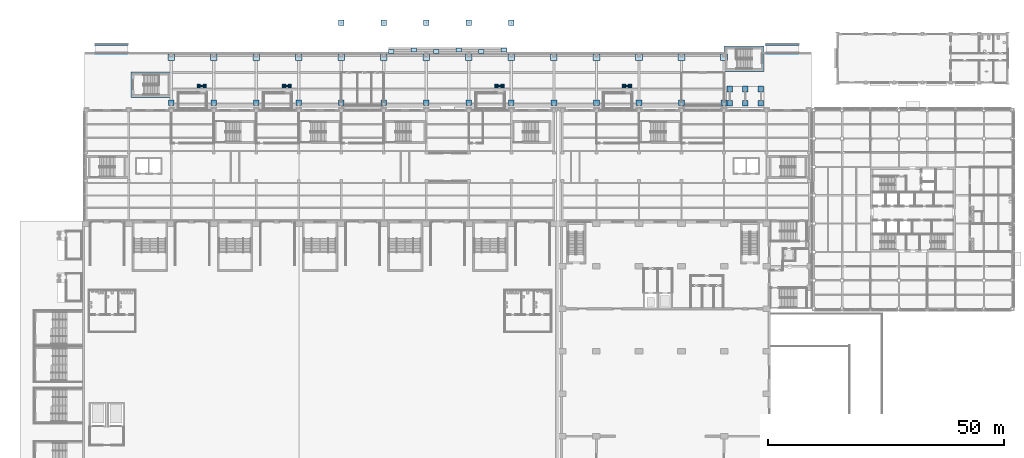
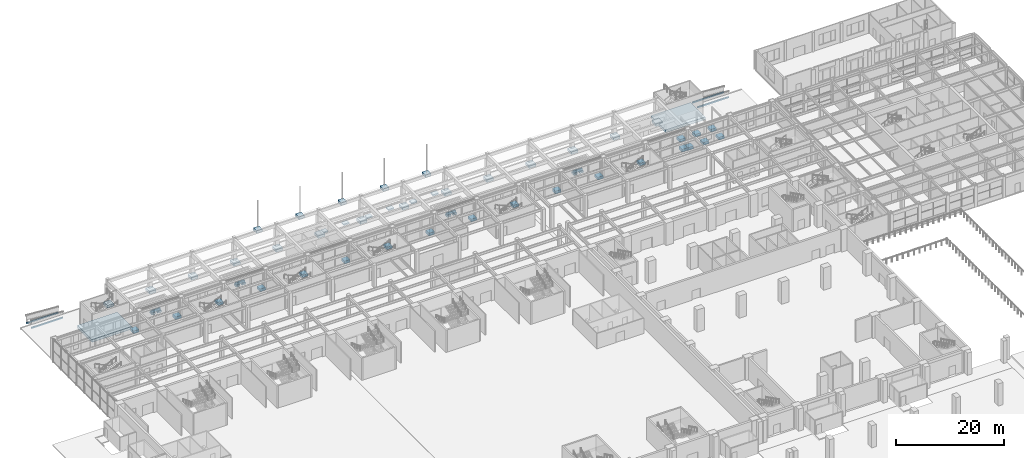
# One storey, part 2 of 77: 63 footings.
"""IFC4 building model written with IfcOpenShell, lengths in metres."""

import ifcopenshell
import ifcopenshell.guid

model = None  # the IFC model being written
_history = None  # IfcOwnerHistory: only IFC2X3 demands one
_inside = {}  # id of a spatial element -> (the spatial element, [elements in it])
_under = {}  # id of a project, library or spatial element -> (it, [spatial elements below it])
_declared = {}  # id of a project -> (the project, [libraries it declares])
_typed = {}  # id of a type object -> (the type object, [elements of that type])
_made_of = {}  # id of a material, layer set ... -> (it, [elements and type objects made of it])


def new_model(schema):
    """Start an empty IFC model of exactly this schema.

    Asked for "IFC4X3", IfcOpenShell would pick the latest addendum, in which some entities
    have other attributes; the version numbers below select the first issue.
    IFC2X3 requires an IfcOwnerHistory on every rooted entity: one is made here for all.
    """
    global model, _history
    if schema == "IFC4X3":
        model = ifcopenshell.file(schema_version=(4, 3, 0, 0))
    else:
        model = ifcopenshell.file(schema=schema)
    _inside.clear()
    _under.clear()
    _declared.clear()
    _typed.clear()
    _made_of.clear()
    _history = None
    if model.schema == "IFC2X3":
        org = make("IfcOrganization", Name="unknown")
        user = make(
            "IfcPersonAndOrganization",
            ThePerson=make("IfcPerson", FamilyName="unknown"),
            TheOrganization=org,
        )
        app = make(
            "IfcApplication",
            ApplicationDeveloper=org,
            Version="unknown",
            ApplicationFullName="unknown",
            ApplicationIdentifier="unknown",
        )
        _history = make(
            "IfcOwnerHistory",
            OwningUser=user,
            OwningApplication=app,
            ChangeAction="ADDED",
            CreationDate=0,
        )
    return model


def make(cls, **values):
    """One entity of the class cls with the attributes given. An attribute that is None is left unset."""
    return model.create_entity(
        cls, **{name: value for name, value in values.items() if value is not None}
    )


def rooted(cls, **values):
    """An entity with a GlobalId (a new one), such as an element, a storey or a relation."""
    return make(cls, GlobalId=ifcopenshell.guid.new(), OwnerHistory=_history, **values)


def si_unit(unit_type, name, prefix=None):
    """IfcSIUnit, for example si_unit("LENGTHUNIT", "METRE", prefix="MILLI")."""
    return make("IfcSIUnit", UnitType=unit_type, Prefix=prefix, Name=name)


def assignment(units):
    """IfcUnitAssignment: the units of a project."""
    return None if units is None else make("IfcUnitAssignment", Units=units)


def point(xyz):
    """IfcCartesianPoint."""
    return None if xyz is None else make("IfcCartesianPoint", Coordinates=xyz)


def direction(xyz):
    """IfcDirection."""
    return None if xyz is None else make("IfcDirection", DirectionRatios=xyz)


def frame(location, z_axis=None, x_axis=None):
    """IfcAxis2Placement3D, a coordinate frame: its origin and axes. An axis left out is left unset."""
    return make(
        "IfcAxis2Placement3D",
        Location=point(location),
        Axis=direction(z_axis),
        RefDirection=direction(x_axis),
    )


def origin():
    """The frame at (0, 0, 0) with its axes left unset."""
    return frame((0.0, 0.0, 0.0))


def place(relative_to, where):
    """IfcLocalPlacement: puts the frame where relative to a parent placement (None: the world)."""
    return make(
        "IfcLocalPlacement", PlacementRelTo=relative_to, RelativePlacement=where
    )


def context(
    kind, dimensions, precision=None, world=None, true_north=None, identifier=None
):
    """IfcGeometricRepresentationContext, for example the 3D "Model" context."""
    return make(
        "IfcGeometricRepresentationContext",
        ContextIdentifier=identifier,
        ContextType=kind,
        CoordinateSpaceDimension=dimensions,
        Precision=precision,
        WorldCoordinateSystem=world,
        TrueNorth=true_north,
    )


def subcontext(parent, identifier, kind, view, scale=None):
    """IfcGeometricRepresentationSubContext, for example "Body" below "Model"."""
    return make(
        "IfcGeometricRepresentationSubContext",
        ContextIdentifier=identifier,
        ContextType=kind,
        ParentContext=parent,
        TargetScale=scale,
        TargetView=view,
    )


def project(units=None, contexts=None):
    """IfcProject with its units and contexts."""
    return rooted(
        "IfcProject",
        Name="project",
        RepresentationContexts=contexts,
        UnitsInContext=assignment(units),
    )


def spatial(cls, under=None, at=None, **own):
    """A site, building, storey or space (cls), placed at a placement, below another one or the project."""
    s = rooted(cls, ObjectPlacement=at, **own)
    if under is not None:
        _under.setdefault(under.id(), (under, []))[1].append(s)
    return s


def polyline(points):
    """IfcPolyline through the points."""
    return make("IfcPolyline", Points=[point(p) for p in points])


def outline(outer, holes=None, kind="AREA"):
    """IfcArbitraryClosedProfileDef: a profile drawn as a closed curve; with holes, ...WithVoids."""
    if holes is None:
        return make("IfcArbitraryClosedProfileDef", ProfileType=kind, OuterCurve=outer)
    return make(
        "IfcArbitraryProfileDefWithVoids",
        ProfileType=kind,
        OuterCurve=outer,
        InnerCurves=holes,
    )


def extrude(swept, where, along, depth):
    """IfcExtrudedAreaSolid: the profile swept, set in the frame where, extruded along a direction by depth."""
    return make(
        "IfcExtrudedAreaSolid",
        SweptArea=swept,
        Position=where,
        ExtrudedDirection=direction(along),
        Depth=depth,
    )


def shape(context_of_items, identifier, shape_type, items):
    """IfcShapeRepresentation: the items that make up one representation, for example the "Body"."""
    return make(
        "IfcShapeRepresentation",
        ContextOfItems=context_of_items,
        RepresentationIdentifier=identifier,
        RepresentationType=shape_type,
        Items=items,
    )


def material(Name=None, Category=None):
    """IfcMaterial."""
    return make("IfcMaterial", Name=Name, Category=Category)


def layer(
    of_material, thickness, ventilated=None, Name=None, Category=None, Priority=None
):
    """IfcMaterialLayer: one layer of a wall or slab, of a material (None: an air gap)."""
    return make(
        "IfcMaterialLayer",
        Material=of_material,
        LayerThickness=thickness,
        IsVentilated=ventilated,
        Name=Name,
        Category=Category,
        Priority=Priority,
    )


def layer_set(layers, Name=None):
    """IfcMaterialLayerSet."""
    return make("IfcMaterialLayerSet", MaterialLayers=layers, LayerSetName=Name)


def made_of(thing, what):
    """Note that an element or type object is made of a material, layer set ...; save() writes the relation."""
    if what is not None:
        _made_of.setdefault(what.id(), (what, []))[1].append(thing)
    return thing


def type_object(cls, material=None, **own):
    """A type object (cls), such as IfcWallType, which elements share."""
    return made_of(rooted(cls, **own), material)


def element(
    cls,
    number,
    at=None,
    inside=None,
    cuts=None,
    type_object=None,
    material=None,
    context=None,
    identifier="Body",
    shape_type=None,
    held_by="IfcProductDefinitionShape",
    body=None,
    shapes=None,
    **own,
):
    """One element of the class cls, such as IfcWall. Its Tag is "e" and its number.

    at: its placement. inside: the storey or other place that contains it. cuts: it is an
    opening in that element (IfcRelVoidsElement). A single representation is given by context,
    identifier, shape_type and body (its items); several are given by shapes. held_by: the class
    of the entity that holds the representations. save() writes the other relations.
    """
    e = rooted(cls, Tag="e%d" % number, ObjectPlacement=at, **own)
    if body is not None:
        shapes = [shape(context, identifier, shape_type, body)]
    if shapes is not None:
        e.Representation = make(held_by, Representations=shapes)
    if inside is not None:
        _inside.setdefault(inside.id(), (inside, []))[1].append(e)
    if cuts is not None:
        rooted(
            "IfcRelVoidsElement", RelatingBuildingElement=cuts, RelatedOpeningElement=e
        )
    if type_object is not None:
        _typed.setdefault(type_object.id(), (type_object, []))[1].append(e)
    return made_of(e, material)


def aggregate(whole, parts):
    """IfcRelAggregates: a whole, such as a stair, and the parts it consists of."""
    return rooted("IfcRelAggregates", RelatingObject=whole, RelatedObjects=parts)


def save(model, path):
    """Write the relations noted so far, then the file.

    IfcRelAggregates (storeys below a building ...), IfcRelContainedInSpatialStructure (elements
    in a storey), IfcRelDefinesByType, IfcRelAssociatesMaterial and IfcRelDeclares: one each for
    every whole, place, type object, material and project.
    """
    for whole, parts in _under.values():
        aggregate(whole, parts)
    for where, things in _inside.values():
        rooted(
            "IfcRelContainedInSpatialStructure",
            RelatedElements=things,
            RelatingStructure=where,
        )
    for kind, things in _typed.values():
        rooted("IfcRelDefinesByType", RelatedObjects=things, RelatingType=kind)
    for what, things in _made_of.values():
        rooted("IfcRelAssociatesMaterial", RelatedObjects=things, RelatingMaterial=what)
    for by, libraries in _declared.values():
        rooted("IfcRelDeclares", RelatingContext=by, RelatedDefinitions=libraries)
    model.write(path)


model = new_model("IFC4")

# Units and contexts
model_context = context("Model", 3, precision=1e-05, world=origin(), true_north=direction((0.0, 1.0)))
body_context = subcontext(model_context, "Body", "Model", "MODEL_VIEW")
ifc_project = project(units=[si_unit("LENGTHUNIT", "METRE"), si_unit("AREAUNIT", "SQUARE_METRE"), si_unit("VOLUMEUNIT", "CUBIC_METRE"), si_unit("PLANEANGLEUNIT", "RADIAN"), si_unit("MASSUNIT", "GRAM", prefix="KILO")], contexts=[model_context])

# Site, building, storey
site_placement = place(None, origin())
site = spatial("IfcSite", under=ifc_project, at=site_placement, CompositionType="ELEMENT")
building_placement = place(site_placement, origin())
building = spatial("IfcBuilding", under=site, at=building_placement, Name="Aravalli Gate Trade Fair Centre", CompositionType="ELEMENT")
storey_placement = place(building_placement, origin())
storey = spatial("IfcBuildingStorey", under=building, at=storey_placement, Name="L00", CompositionType="ELEMENT", Elevation=0.0)

# Footings
ifc_material = material(Name="Concrete M30", Category="concrete")
ifc_layer_1 = layer(ifc_material, 0.60009765625)
ifc_layer_set_1 = layer_set([ifc_layer_1], Name="Concrete M30")
footing_type_1 = type_object("IfcFootingType", Name="Arcade pad footing 1400", PredefinedType="PAD_FOOTING", material=ifc_layer_set_1)
footing_1_placement = place(storey_placement, frame((0.0, 0.0, -0.800048828125)))
element("IfcFooting", 1, at=footing_1_placement, inside=storey, type_object=footing_type_1, Name="Arcade column footing S03", PredefinedType="PAD_FOOTING", context=body_context, shape_type="SweptSolid", body=[
    extrude(outline(polyline([(23.39990234375, 134.0), (24.60009765625, 134.0), (24.60009765625, 135.199951171875), (23.39990234375, 135.199951171875), (23.39990234375, 134.0)])), origin(), (0.0, 0.0, 1.0), 0.60009765625),
])
footing_2_placement = place(storey_placement, frame((0.0, 0.0, -0.800048828125)))
element("IfcFooting", 2, at=footing_2_placement, inside=storey, type_object=footing_type_1, Name="Arcade pier footing N03", PredefinedType="PAD_FOOTING", context=body_context, shape_type="SweptSolid", body=[
    extrude(outline(polyline([(23.300048828125, 143.550048828125), (24.699951171875, 143.550048828125), (24.699951171875, 144.949951171875), (23.300048828125, 144.949951171875), (23.300048828125, 143.550048828125)])), origin(), (0.0, 0.0, 1.0), 0.60009765625),
])
footing_3_placement = place(storey_placement, frame((0.0, 0.0, -0.800048828125)))
element("IfcFooting", 3, at=footing_3_placement, inside=storey, type_object=footing_type_1, Name="Arcade column footing S04", PredefinedType="PAD_FOOTING", context=body_context, shape_type="SweptSolid", body=[
    extrude(outline(polyline([(32.39990234375, 134.0), (33.60009765625, 134.0), (33.60009765625, 135.199951171875), (32.39990234375, 135.199951171875), (32.39990234375, 134.0)])), origin(), (0.0, 0.0, 1.0), 0.60009765625),
])
footing_4_placement = place(storey_placement, frame((0.0, 0.0, -0.800048828125)))
element("IfcFooting", 4, at=footing_4_placement, inside=storey, type_object=footing_type_1, Name="Arcade pier footing N04", PredefinedType="PAD_FOOTING", context=body_context, shape_type="SweptSolid", body=[
    extrude(outline(polyline([(32.300048828125, 143.550048828125), (33.699951171875, 143.550048828125), (33.699951171875, 144.949951171875), (32.300048828125, 144.949951171875), (32.300048828125, 143.550048828125)])), origin(), (0.0, 0.0, 1.0), 0.60009765625),
])
footing_5_placement = place(storey_placement, frame((0.0, 0.0, -0.800048828125)))
element("IfcFooting", 5, at=footing_5_placement, inside=storey, type_object=footing_type_1, Name="Arcade column footing S05", PredefinedType="PAD_FOOTING", context=body_context, shape_type="SweptSolid", body=[
    extrude(outline(polyline([(41.39990234375, 134.0), (42.60009765625, 134.0), (42.60009765625, 135.199951171875), (41.39990234375, 135.199951171875), (41.39990234375, 134.0)])), origin(), (0.0, 0.0, 1.0), 0.60009765625),
])
footing_6_placement = place(storey_placement, frame((0.0, 0.0, -0.800048828125)))
element("IfcFooting", 6, at=footing_6_placement, inside=storey, type_object=footing_type_1, Name="Arcade pier footing N05", PredefinedType="PAD_FOOTING", context=body_context, shape_type="SweptSolid", body=[
    extrude(outline(polyline([(41.300048828125, 143.550048828125), (42.699951171875, 143.550048828125), (42.699951171875, 144.949951171875), (41.300048828125, 144.949951171875), (41.300048828125, 143.550048828125)])), origin(), (0.0, 0.0, 1.0), 0.60009765625),
])
footing_7_placement = place(storey_placement, frame((0.0, 0.0, -0.800048828125)))
element("IfcFooting", 7, at=footing_7_placement, inside=storey, type_object=footing_type_1, Name="Arcade column footing S06", PredefinedType="PAD_FOOTING", context=body_context, shape_type="SweptSolid", body=[
    extrude(outline(polyline([(50.39990234375, 134.0), (51.60009765625, 134.0), (51.60009765625, 135.199951171875), (50.39990234375, 135.199951171875), (50.39990234375, 134.0)])), origin(), (0.0, 0.0, 1.0), 0.60009765625),
])
footing_8_placement = place(storey_placement, frame((0.0, 0.0, -0.800048828125)))
element("IfcFooting", 8, at=footing_8_placement, inside=storey, type_object=footing_type_1, Name="Arcade pier footing N06", PredefinedType="PAD_FOOTING", context=body_context, shape_type="SweptSolid", body=[
    extrude(outline(polyline([(50.300048828125, 143.550048828125), (51.699951171875, 143.550048828125), (51.699951171875, 144.949951171875), (50.300048828125, 144.949951171875), (50.300048828125, 143.550048828125)])), origin(), (0.0, 0.0, 1.0), 0.60009765625),
])
footing_9_placement = place(storey_placement, frame((0.0, 0.0, -0.800048828125)))
element("IfcFooting", 9, at=footing_9_placement, inside=storey, type_object=footing_type_1, Name="Arcade column footing S07", PredefinedType="PAD_FOOTING", context=body_context, shape_type="SweptSolid", body=[
    extrude(outline(polyline([(59.39990234375, 134.0), (60.60009765625, 134.0), (60.60009765625, 135.199951171875), (59.39990234375, 135.199951171875), (59.39990234375, 134.0)])), origin(), (0.0, 0.0, 1.0), 0.60009765625),
])
footing_10_placement = place(storey_placement, frame((0.0, 0.0, -0.800048828125)))
element("IfcFooting", 10, at=footing_10_placement, inside=storey, type_object=footing_type_1, Name="Arcade pier footing N07", PredefinedType="PAD_FOOTING", context=body_context, shape_type="SweptSolid", body=[
    extrude(outline(polyline([(59.300048828125, 143.550048828125), (60.699951171875, 143.550048828125), (60.699951171875, 144.949951171875), (59.300048828125, 144.949951171875), (59.300048828125, 143.550048828125)])), origin(), (0.0, 0.0, 1.0), 0.60009765625),
])
footing_11_placement = place(storey_placement, frame((0.0, 0.0, -0.800048828125)))
element("IfcFooting", 11, at=footing_11_placement, inside=storey, type_object=footing_type_1, Name="Arcade column footing S08", PredefinedType="PAD_FOOTING", context=body_context, shape_type="SweptSolid", body=[
    extrude(outline(polyline([(68.39990234375, 134.0), (69.60009765625, 134.0), (69.60009765625, 135.199951171875), (68.39990234375, 135.199951171875), (68.39990234375, 134.0)])), origin(), (0.0, 0.0, 1.0), 0.60009765625),
])
footing_12_placement = place(storey_placement, frame((0.0, 0.0, -0.800048828125)))
element("IfcFooting", 12, at=footing_12_placement, inside=storey, type_object=footing_type_1, Name="Arcade pier footing N08", PredefinedType="PAD_FOOTING", context=body_context, shape_type="SweptSolid", body=[
    extrude(outline(polyline([(68.300048828125, 143.550048828125), (69.699951171875, 143.550048828125), (69.699951171875, 144.949951171875), (68.300048828125, 144.949951171875), (68.300048828125, 143.550048828125)])), origin(), (0.0, 0.0, 1.0), 0.60009765625),
])
footing_13_placement = place(storey_placement, frame((0.0, 0.0, -0.800048828125)))
element("IfcFooting", 13, at=footing_13_placement, inside=storey, type_object=footing_type_1, Name="Arcade column footing S09", PredefinedType="PAD_FOOTING", context=body_context, shape_type="SweptSolid", body=[
    extrude(outline(polyline([(77.39990234375, 134.0), (78.60009765625, 134.0), (78.60009765625, 135.199951171875), (77.39990234375, 135.199951171875), (77.39990234375, 134.0)])), origin(), (0.0, 0.0, 1.0), 0.60009765625),
])
footing_14_placement = place(storey_placement, frame((0.0, 0.0, -0.800048828125)))
element("IfcFooting", 14, at=footing_14_placement, inside=storey, type_object=footing_type_1, Name="Arcade pier footing N09", PredefinedType="PAD_FOOTING", context=body_context, shape_type="SweptSolid", body=[
    extrude(outline(polyline([(77.300048828125, 143.550048828125), (78.699951171875, 143.550048828125), (78.699951171875, 144.949951171875), (77.300048828125, 144.949951171875), (77.300048828125, 143.550048828125)])), origin(), (0.0, 0.0, 1.0), 0.60009765625),
])
footing_15_placement = place(storey_placement, frame((0.0, 0.0, -0.800048828125)))
element("IfcFooting", 15, at=footing_15_placement, inside=storey, type_object=footing_type_1, Name="Arcade column footing S10", PredefinedType="PAD_FOOTING", context=body_context, shape_type="SweptSolid", body=[
    extrude(outline(polyline([(86.39990234375, 134.0), (87.60009765625, 134.0), (87.60009765625, 135.199951171875), (86.39990234375, 135.199951171875), (86.39990234375, 134.0)])), origin(), (0.0, 0.0, 1.0), 0.60009765625),
])
footing_16_placement = place(storey_placement, frame((0.0, 0.0, -0.800048828125)))
element("IfcFooting", 16, at=footing_16_placement, inside=storey, type_object=footing_type_1, Name="Arcade pier footing N10", PredefinedType="PAD_FOOTING", context=body_context, shape_type="SweptSolid", body=[
    extrude(outline(polyline([(86.300048828125, 143.550048828125), (87.699951171875, 143.550048828125), (87.699951171875, 144.949951171875), (86.300048828125, 144.949951171875), (86.300048828125, 143.550048828125)])), origin(), (0.0, 0.0, 1.0), 0.60009765625),
])
footing_17_placement = place(storey_placement, frame((0.0, 0.0, -0.800048828125)))
element("IfcFooting", 17, at=footing_17_placement, inside=storey, type_object=footing_type_1, Name="Arcade column footing S11", PredefinedType="PAD_FOOTING", context=body_context, shape_type="SweptSolid", body=[
    extrude(outline(polyline([(95.39990234375, 134.0), (96.60009765625, 134.0), (96.60009765625, 135.199951171875), (95.39990234375, 135.199951171875), (95.39990234375, 134.0)])), origin(), (0.0, 0.0, 1.0), 0.60009765625),
])
footing_18_placement = place(storey_placement, frame((0.0, 0.0, -0.800048828125)))
element("IfcFooting", 18, at=footing_18_placement, inside=storey, type_object=footing_type_1, Name="Arcade pier footing N11", PredefinedType="PAD_FOOTING", context=body_context, shape_type="SweptSolid", body=[
    extrude(outline(polyline([(95.300048828125, 143.550048828125), (96.699951171875, 143.550048828125), (96.699951171875, 144.949951171875), (95.300048828125, 144.949951171875), (95.300048828125, 143.550048828125)])), origin(), (0.0, 0.0, 1.0), 0.60009765625),
])
footing_19_placement = place(storey_placement, frame((0.0, 0.0, -0.800048828125)))
element("IfcFooting", 19, at=footing_19_placement, inside=storey, type_object=footing_type_1, Name="Arcade column footing S12", PredefinedType="PAD_FOOTING", context=body_context, shape_type="SweptSolid", body=[
    extrude(outline(polyline([(104.39990234375, 134.0), (105.60009765625, 134.0), (105.60009765625, 135.199951171875), (104.39990234375, 135.199951171875), (104.39990234375, 134.0)])), origin(), (0.0, 0.0, 1.0), 0.60009765625),
])
footing_20_placement = place(storey_placement, frame((0.0, 0.0, -0.800048828125)))
element("IfcFooting", 20, at=footing_20_placement, inside=storey, type_object=footing_type_1, Name="Arcade pier footing N12", PredefinedType="PAD_FOOTING", context=body_context, shape_type="SweptSolid", body=[
    extrude(outline(polyline([(104.300048828125, 143.550048828125), (105.699951171875, 143.550048828125), (105.699951171875, 144.949951171875), (104.300048828125, 144.949951171875), (104.300048828125, 143.550048828125)])), origin(), (0.0, 0.0, 1.0), 0.60009765625),
])
footing_21_placement = place(storey_placement, frame((0.0, 0.0, -0.800048828125)))
element("IfcFooting", 21, at=footing_21_placement, inside=storey, type_object=footing_type_1, Name="Arcade column footing S13", PredefinedType="PAD_FOOTING", context=body_context, shape_type="SweptSolid", body=[
    extrude(outline(polyline([(113.39990234375, 134.0), (114.60009765625, 134.0), (114.60009765625, 135.199951171875), (113.39990234375, 135.199951171875), (113.39990234375, 134.0)])), origin(), (0.0, 0.0, 1.0), 0.60009765625),
])
footing_22_placement = place(storey_placement, frame((0.0, 0.0, -0.800048828125)))
element("IfcFooting", 22, at=footing_22_placement, inside=storey, type_object=footing_type_1, Name="Arcade pier footing N13", PredefinedType="PAD_FOOTING", context=body_context, shape_type="SweptSolid", body=[
    extrude(outline(polyline([(113.300048828125, 143.550048828125), (114.699951171875, 143.550048828125), (114.699951171875, 144.949951171875), (113.300048828125, 144.949951171875), (113.300048828125, 143.550048828125)])), origin(), (0.0, 0.0, 1.0), 0.60009765625),
])
footing_23_placement = place(storey_placement, frame((0.0, 0.0, -0.800048828125)))
element("IfcFooting", 23, at=footing_23_placement, inside=storey, type_object=footing_type_1, Name="Arcade column footing S14", PredefinedType="PAD_FOOTING", context=body_context, shape_type="SweptSolid", body=[
    extrude(outline(polyline([(122.39990234375, 134.0), (123.60009765625, 134.0), (123.60009765625, 135.199951171875), (122.39990234375, 135.199951171875), (122.39990234375, 134.0)])), origin(), (0.0, 0.0, 1.0), 0.60009765625),
])
footing_24_placement = place(storey_placement, frame((0.0, 0.0, -0.800048828125)))
element("IfcFooting", 24, at=footing_24_placement, inside=storey, type_object=footing_type_1, Name="Arcade pier footing N14", PredefinedType="PAD_FOOTING", context=body_context, shape_type="SweptSolid", body=[
    extrude(outline(polyline([(122.300048828125, 143.550048828125), (123.699951171875, 143.550048828125), (123.699951171875, 144.949951171875), (122.300048828125, 144.949951171875), (122.300048828125, 143.550048828125)])), origin(), (0.0, 0.0, 1.0), 0.60009765625),
])
footing_25_placement = place(storey_placement, frame((0.0, 0.0, -0.800048828125)))
element("IfcFooting", 25, at=footing_25_placement, inside=storey, type_object=footing_type_1, Name="Arcade column footing S15", PredefinedType="PAD_FOOTING", context=body_context, shape_type="SweptSolid", body=[
    extrude(outline(polyline([(131.39990234375, 134.0), (132.60009765625, 134.0), (132.60009765625, 135.199951171875), (131.39990234375, 135.199951171875), (131.39990234375, 134.0)])), origin(), (0.0, 0.0, 1.0), 0.60009765625),
])
footing_26_placement = place(storey_placement, frame((0.0, 0.0, -0.800048828125)))
element("IfcFooting", 26, at=footing_26_placement, inside=storey, type_object=footing_type_1, Name="Arcade pier footing N15", PredefinedType="PAD_FOOTING", context=body_context, shape_type="SweptSolid", body=[
    extrude(outline(polyline([(131.300048828125, 143.550048828125), (132.699951171875, 143.550048828125), (132.699951171875, 144.949951171875), (131.300048828125, 144.949951171875), (131.300048828125, 143.550048828125)])), origin(), (0.0, 0.0, 1.0), 0.60009765625),
])
footing_27_placement = place(storey_placement, frame((0.0, 0.0, -0.800048828125)))
element("IfcFooting", 27, at=footing_27_placement, inside=storey, type_object=footing_type_1, Name="Arcade column footing S16", PredefinedType="PAD_FOOTING", context=body_context, shape_type="SweptSolid", body=[
    extrude(outline(polyline([(140.39990234375, 134.0), (141.60009765625, 134.0), (141.60009765625, 135.199951171875), (140.39990234375, 135.199951171875), (140.39990234375, 134.0)])), origin(), (0.0, 0.0, 1.0), 0.60009765625),
])
footing_28_placement = place(storey_placement, frame((0.0, 0.0, -0.800048828125)))
element("IfcFooting", 28, at=footing_28_placement, inside=storey, type_object=footing_type_1, Name="Arcade pier footing N16", PredefinedType="PAD_FOOTING", context=body_context, shape_type="SweptSolid", body=[
    extrude(outline(polyline([(140.300048828125, 143.550048828125), (141.699951171875, 143.550048828125), (141.699951171875, 144.949951171875), (140.300048828125, 144.949951171875), (140.300048828125, 143.550048828125)])), origin(), (0.0, 0.0, 1.0), 0.60009765625),
])
footing_29_placement = place(storey_placement, frame((0.0, 0.0, -1.050048828125)))
element("IfcFooting", 29, at=footing_29_placement, inside=storey, type_object=footing_type_1, Name="Entrance canopy post footing 60", PredefinedType="PAD_FOOTING", context=body_context, shape_type="SweptSolid", body=[
    extrude(outline(polyline([(59.39990234375, 150.89990234375), (60.60009765625, 150.89990234375), (60.60009765625, 152.10009765625), (59.39990234375, 152.10009765625), (59.39990234375, 150.89990234375)])), origin(), (0.0, 0.0, 1.0), 0.60009765625),
])
footing_30_placement = place(storey_placement, frame((0.0, 0.0, -1.050048828125)))
element("IfcFooting", 30, at=footing_30_placement, inside=storey, type_object=footing_type_1, Name="Entrance canopy post footing 69", PredefinedType="PAD_FOOTING", context=body_context, shape_type="SweptSolid", body=[
    extrude(outline(polyline([(68.39990234375, 150.89990234375), (69.60009765625, 150.89990234375), (69.60009765625, 152.10009765625), (68.39990234375, 152.10009765625), (68.39990234375, 150.89990234375)])), origin(), (0.0, 0.0, 1.0), 0.60009765625),
])
footing_31_placement = place(storey_placement, frame((0.0, 0.0, -1.050048828125)))
element("IfcFooting", 31, at=footing_31_placement, inside=storey, type_object=footing_type_1, Name="Entrance canopy post footing 78", PredefinedType="PAD_FOOTING", context=body_context, shape_type="SweptSolid", body=[
    extrude(outline(polyline([(77.39990234375, 150.89990234375), (78.60009765625, 150.89990234375), (78.60009765625, 152.10009765625), (77.39990234375, 152.10009765625), (77.39990234375, 150.89990234375)])), origin(), (0.0, 0.0, 1.0), 0.60009765625),
])
footing_32_placement = place(storey_placement, frame((0.0, 0.0, -1.050048828125)))
element("IfcFooting", 32, at=footing_32_placement, inside=storey, type_object=footing_type_1, Name="Entrance canopy post footing 87", PredefinedType="PAD_FOOTING", context=body_context, shape_type="SweptSolid", body=[
    extrude(outline(polyline([(86.39990234375, 150.89990234375), (87.60009765625, 150.89990234375), (87.60009765625, 152.10009765625), (86.39990234375, 152.10009765625), (86.39990234375, 150.89990234375)])), origin(), (0.0, 0.0, 1.0), 0.60009765625),
])
footing_33_placement = place(storey_placement, frame((0.0, 0.0, -1.050048828125)))
element("IfcFooting", 33, at=footing_33_placement, inside=storey, type_object=footing_type_1, Name="Entrance canopy post footing 96", PredefinedType="PAD_FOOTING", context=body_context, shape_type="SweptSolid", body=[
    extrude(outline(polyline([(95.39990234375, 150.89990234375), (96.60009765625, 150.89990234375), (96.60009765625, 152.10009765625), (95.39990234375, 152.10009765625), (95.39990234375, 150.89990234375)])), origin(), (0.0, 0.0, 1.0), 0.60009765625),
])
ifc_layer_2 = layer(ifc_material, 0.60009765625)
ifc_layer_set_2 = layer_set([ifc_layer_2], Name="Concrete M30")
footing_type_2 = type_object("IfcFootingType", Name="Arcade stair raft footing 600", PredefinedType="PAD_FOOTING", material=ifc_layer_set_2)
footing_34_placement = place(storey_placement, frame((0.0, 0.0, -1.0)))
element("IfcFooting", 34, at=footing_34_placement, inside=storey, type_object=footing_type_2, Name="Arcade stair raft footing", PredefinedType="PAD_FOOTING", context=body_context, shape_type="SweptSolid", body=[
    extrude(outline(polyline([(15.5, 135.699951171875), (24.0, 135.699951171875), (24.0, 141.10009765625), (15.5, 141.10009765625), (15.5, 135.699951171875)])), origin(), (0.0, 0.0, 1.0), 0.60009765625),
])
footing_35_placement = place(storey_placement, frame((0.0, 0.0, -1.0)))
element("IfcFooting", 35, at=footing_35_placement, inside=storey, type_object=footing_type_2, Name="Arcade stair raft footing east", PredefinedType="PAD_FOOTING", context=body_context, shape_type="SweptSolid", body=[
    extrude(outline(polyline([(141.0, 146.60009765625), (141.0, 144.969970703125), (141.719970703125, 144.969970703125), (141.719970703125, 143.530029296875), (141.0, 143.530029296875), (141.0, 141.199951171875), (149.5, 141.199951171875), (149.5, 146.60009765625), (141.0, 146.60009765625)])), origin(), (0.0, 0.0, 1.0), 0.60009765625),
])
ifc_layer_3 = layer(ifc_material, 0.39990234375)
ifc_layer_set_3 = layer_set([ifc_layer_3], Name="Concrete M30")
footing_type_3 = type_object("IfcFootingType", Name="Basement exit apron edge beam 300", PredefinedType="FOOTING_BEAM", material=ifc_layer_set_3)
footing_36_placement = place(storey_placement, frame((0.0, 0.0, -0.60009765625)))
element("IfcFooting", 36, at=footing_36_placement, inside=storey, type_object=footing_type_3, Name="Basement stair N1 exit apron edge beam", PredefinedType="FOOTING_BEAM", context=body_context, shape_type="SweptSolid", body=[
    extrude(outline(polyline([(31.449951171875, 137.97998046875), (29.5, 137.97998046875), (29.5, 138.280029296875), (31.449951171875, 138.280029296875), (31.449951171875, 137.97998046875)])), origin(), (0.0, 0.0, 1.0), 0.400146484375),
])
footing_37_placement = place(storey_placement, frame((0.0, 0.0, -0.60009765625)))
element("IfcFooting", 37, at=footing_37_placement, inside=storey, type_object=footing_type_3, Name="Basement stair N2 exit apron edge beam", PredefinedType="FOOTING_BEAM", context=body_context, shape_type="SweptSolid", body=[
    extrude(outline(polyline([(49.449951171875, 137.97998046875), (47.5, 137.97998046875), (47.5, 138.280029296875), (49.449951171875, 138.280029296875), (49.449951171875, 137.97998046875)])), origin(), (0.0, 0.0, 1.0), 0.400146484375),
])
footing_38_placement = place(storey_placement, frame((0.0, 0.0, -0.60009765625)))
element("IfcFooting", 38, at=footing_38_placement, inside=storey, type_object=footing_type_3, Name="Basement stair N3 exit apron edge beam", PredefinedType="FOOTING_BEAM", context=body_context, shape_type="SweptSolid", body=[
    extrude(outline(polyline([(94.449951171875, 137.97998046875), (92.5, 137.97998046875), (92.5, 138.280029296875), (94.449951171875, 138.280029296875), (94.449951171875, 137.97998046875)])), origin(), (0.0, 0.0, 1.0), 0.400146484375),
])
footing_39_placement = place(storey_placement, frame((0.0, 0.0, -0.60009765625)))
element("IfcFooting", 39, at=footing_39_placement, inside=storey, type_object=footing_type_3, Name="Basement stair N4 exit apron edge beam", PredefinedType="FOOTING_BEAM", context=body_context, shape_type="SweptSolid", body=[
    extrude(outline(polyline([(121.449951171875, 137.97998046875), (119.5, 137.97998046875), (119.5, 138.280029296875), (121.449951171875, 138.280029296875), (121.449951171875, 137.97998046875)])), origin(), (0.0, 0.0, 1.0), 0.400146484375),
])
footing_type_4 = type_object("IfcFootingType", Name="Basement exit apron pad 800", PredefinedType="PAD_FOOTING", material=ifc_material)
footing_40_placement = place(storey_placement, frame((0.0, 0.0, -1.0)))
element("IfcFooting", 40, at=footing_40_placement, inside=storey, type_object=footing_type_4, Name="Basement stair N1 exit apron pad a", PredefinedType="PAD_FOOTING", context=body_context, shape_type="SweptSolid", body=[
    extrude(outline(polyline([(31.5, 137.72998046875), (30.699951171875, 137.72998046875), (30.699951171875, 138.530029296875), (31.5, 138.530029296875), (31.5, 137.72998046875)])), origin(), (0.0, 0.0, 1.0), 0.39990234375),
])
footing_41_placement = place(storey_placement, frame((0.0, 0.0, -1.0)))
element("IfcFooting", 41, at=footing_41_placement, inside=storey, type_object=footing_type_4, Name="Basement stair N1 exit apron pad b", PredefinedType="PAD_FOOTING", context=body_context, shape_type="SweptSolid", body=[
    extrude(outline(polyline([(30.25, 137.72998046875), (29.449951171875, 137.72998046875), (29.449951171875, 138.530029296875), (30.25, 138.530029296875), (30.25, 137.72998046875)])), origin(), (0.0, 0.0, 1.0), 0.39990234375),
])
footing_42_placement = place(storey_placement, frame((0.0, 0.0, -1.0)))
element("IfcFooting", 42, at=footing_42_placement, inside=storey, type_object=footing_type_4, Name="Basement stair N2 exit apron pad a", PredefinedType="PAD_FOOTING", context=body_context, shape_type="SweptSolid", body=[
    extrude(outline(polyline([(49.5, 137.72998046875), (48.699951171875, 137.72998046875), (48.699951171875, 138.530029296875), (49.5, 138.530029296875), (49.5, 137.72998046875)])), origin(), (0.0, 0.0, 1.0), 0.39990234375),
])
footing_43_placement = place(storey_placement, frame((0.0, 0.0, -1.0)))
element("IfcFooting", 43, at=footing_43_placement, inside=storey, type_object=footing_type_4, Name="Basement stair N2 exit apron pad b", PredefinedType="PAD_FOOTING", context=body_context, shape_type="SweptSolid", body=[
    extrude(outline(polyline([(48.25, 137.72998046875), (47.449951171875, 137.72998046875), (47.449951171875, 138.530029296875), (48.25, 138.530029296875), (48.25, 137.72998046875)])), origin(), (0.0, 0.0, 1.0), 0.39990234375),
])
footing_44_placement = place(storey_placement, frame((0.0, 0.0, -1.0)))
element("IfcFooting", 44, at=footing_44_placement, inside=storey, type_object=footing_type_4, Name="Basement stair N3 exit apron pad a", PredefinedType="PAD_FOOTING", context=body_context, shape_type="SweptSolid", body=[
    extrude(outline(polyline([(94.5, 137.72998046875), (93.699951171875, 137.72998046875), (93.699951171875, 138.530029296875), (94.5, 138.530029296875), (94.5, 137.72998046875)])), origin(), (0.0, 0.0, 1.0), 0.39990234375),
])
footing_45_placement = place(storey_placement, frame((0.0, 0.0, -1.0)))
element("IfcFooting", 45, at=footing_45_placement, inside=storey, type_object=footing_type_4, Name="Basement stair N3 exit apron pad b", PredefinedType="PAD_FOOTING", context=body_context, shape_type="SweptSolid", body=[
    extrude(outline(polyline([(93.25, 137.72998046875), (92.449951171875, 137.72998046875), (92.449951171875, 138.530029296875), (93.25, 138.530029296875), (93.25, 137.72998046875)])), origin(), (0.0, 0.0, 1.0), 0.39990234375),
])
footing_46_placement = place(storey_placement, frame((0.0, 0.0, -1.0)))
element("IfcFooting", 46, at=footing_46_placement, inside=storey, type_object=footing_type_4, Name="Basement stair N4 exit apron pad a", PredefinedType="PAD_FOOTING", context=body_context, shape_type="SweptSolid", body=[
    extrude(outline(polyline([(121.5, 137.72998046875), (120.699951171875, 137.72998046875), (120.699951171875, 138.530029296875), (121.5, 138.530029296875), (121.5, 137.72998046875)])), origin(), (0.0, 0.0, 1.0), 0.39990234375),
])
footing_47_placement = place(storey_placement, frame((0.0, 0.0, -1.0)))
element("IfcFooting", 47, at=footing_47_placement, inside=storey, type_object=footing_type_4, Name="Basement stair N4 exit apron pad b", PredefinedType="PAD_FOOTING", context=body_context, shape_type="SweptSolid", body=[
    extrude(outline(polyline([(120.25, 137.72998046875), (119.449951171875, 137.72998046875), (119.449951171875, 138.530029296875), (120.25, 138.530029296875), (120.25, 137.72998046875)])), origin(), (0.0, 0.0, 1.0), 0.39990234375),
])
ifc_layer_4 = layer(ifc_material, 0.60009765625)
ifc_layer_set_4 = layer_set([ifc_layer_4], Name="Concrete M30")
footing_type_5 = type_object("IfcFootingType", Name="Concourse canopy pad footing 1200", PredefinedType="PAD_FOOTING", material=ifc_layer_set_4)
footing_48_placement = place(storey_placement, frame((0.0, 0.0, -0.800048828125)))
element("IfcFooting", 48, at=footing_48_placement, inside=storey, type_object=footing_type_5, Name="Canopy post footing east 1a", PredefinedType="PAD_FOOTING", context=body_context, shape_type="SweptSolid", body=[
    extrude(outline(polyline([(141.60009765625, 133.914306640625), (142.800048828125, 133.914306640625), (142.800048828125, 135.1142578125), (141.60009765625, 135.1142578125), (141.60009765625, 133.914306640625)])), origin(), (0.0, 0.0, 1.0), 0.60009765625),
])
footing_49_placement = place(storey_placement, frame((0.0, 0.0, -0.800048828125)))
element("IfcFooting", 49, at=footing_49_placement, inside=storey, type_object=footing_type_5, Name="Canopy post footing east 1b", PredefinedType="PAD_FOOTING", context=body_context, shape_type="SweptSolid", body=[
    extrude(outline(polyline([(141.60009765625, 136.914306640625), (142.800048828125, 136.914306640625), (142.800048828125, 138.1142578125), (141.60009765625, 138.1142578125), (141.60009765625, 136.914306640625)])), origin(), (0.0, 0.0, 1.0), 0.60009765625),
])
footing_50_placement = place(storey_placement, frame((0.0, 0.0, -0.800048828125)))
element("IfcFooting", 50, at=footing_50_placement, inside=storey, type_object=footing_type_5, Name="Canopy post footing east 2a", PredefinedType="PAD_FOOTING", context=body_context, shape_type="SweptSolid", body=[
    extrude(outline(polyline([(144.89990234375, 133.914306640625), (146.10009765625, 133.914306640625), (146.10009765625, 135.1142578125), (144.89990234375, 135.1142578125), (144.89990234375, 133.914306640625)])), origin(), (0.0, 0.0, 1.0), 0.60009765625),
])
footing_51_placement = place(storey_placement, frame((0.0, 0.0, -0.800048828125)))
element("IfcFooting", 51, at=footing_51_placement, inside=storey, type_object=footing_type_5, Name="Canopy post footing east 2b", PredefinedType="PAD_FOOTING", context=body_context, shape_type="SweptSolid", body=[
    extrude(outline(polyline([(144.89990234375, 136.914306640625), (146.10009765625, 136.914306640625), (146.10009765625, 138.1142578125), (144.89990234375, 138.1142578125), (144.89990234375, 136.914306640625)])), origin(), (0.0, 0.0, 1.0), 0.60009765625),
])
footing_52_placement = place(storey_placement, frame((0.0, 0.0, -0.800048828125)))
element("IfcFooting", 52, at=footing_52_placement, inside=storey, type_object=footing_type_5, Name="Canopy post footing east 3a", PredefinedType="PAD_FOOTING", context=body_context, shape_type="SweptSolid", body=[
    extrude(outline(polyline([(148.199951171875, 133.914306640625), (149.39990234375, 133.914306640625), (149.39990234375, 135.1142578125), (148.199951171875, 135.1142578125), (148.199951171875, 133.914306640625)])), origin(), (0.0, 0.0, 1.0), 0.60009765625),
])
footing_53_placement = place(storey_placement, frame((0.0, 0.0, -0.800048828125)))
element("IfcFooting", 53, at=footing_53_placement, inside=storey, type_object=footing_type_5, Name="Canopy post footing east 3b", PredefinedType="PAD_FOOTING", context=body_context, shape_type="SweptSolid", body=[
    extrude(outline(polyline([(148.199951171875, 136.914306640625), (149.39990234375, 136.914306640625), (149.39990234375, 138.1142578125), (148.199951171875, 138.1142578125), (148.199951171875, 136.914306640625)])), origin(), (0.0, 0.0, 1.0), 0.60009765625),
])
ifc_layer_5 = layer(ifc_material, 0.300048828125)
ifc_layer_set_5 = layer_set([ifc_layer_5], Name="Concrete M30")
footing_type_6 = type_object("IfcFootingType", Name="Concourse plaza ramp wall footing 300", PredefinedType="STRIP_FOOTING", material=ifc_layer_set_5)
footing_54_placement = place(storey_placement, frame((0.0, 0.0, -0.949951171875)))
element("IfcFooting", 54, at=footing_54_placement, inside=storey, type_object=footing_type_6, Name="Plaza ramp 1 wall footing a", PredefinedType="STRIP_FOOTING", context=body_context, shape_type="SweptSolid", body=[
    extrude(outline(polyline([(8.0, 145.0), (14.75, 145.0), (14.75, 145.199951171875), (8.0, 145.199951171875), (8.0, 145.0)])), origin(), (0.0, 0.0, 1.0), 0.300048828125),
])
footing_55_placement = place(storey_placement, frame((0.0, 0.0, -0.949951171875)))
element("IfcFooting", 55, at=footing_55_placement, inside=storey, type_object=footing_type_6, Name="Plaza ramp 1 wall footing b", PredefinedType="STRIP_FOOTING", context=body_context, shape_type="SweptSolid", body=[
    extrude(outline(polyline([(8.0, 146.800048828125), (14.75, 146.800048828125), (14.75, 147.0), (8.0, 147.0), (8.0, 146.800048828125)])), origin(), (0.0, 0.0, 1.0), 0.300048828125),
])
footing_56_placement = place(storey_placement, frame((0.0, 0.0, -0.949951171875)))
element("IfcFooting", 56, at=footing_56_placement, inside=storey, type_object=footing_type_6, Name="Plaza ramp 2 wall footing a", PredefinedType="STRIP_FOOTING", context=body_context, shape_type="SweptSolid", body=[
    extrude(outline(polyline([(150.0, 145.0), (156.75, 145.0), (156.75, 145.199951171875), (150.0, 145.199951171875), (150.0, 145.0)])), origin(), (0.0, 0.0, 1.0), 0.300048828125),
])
footing_57_placement = place(storey_placement, frame((0.0, 0.0, -0.949951171875)))
element("IfcFooting", 57, at=footing_57_placement, inside=storey, type_object=footing_type_6, Name="Plaza ramp 2 wall footing b", PredefinedType="STRIP_FOOTING", context=body_context, shape_type="SweptSolid", body=[
    extrude(outline(polyline([(150.0, 146.800048828125), (156.75, 146.800048828125), (156.75, 147.0), (150.0, 147.0), (150.0, 146.800048828125)])), origin(), (0.0, 0.0, 1.0), 0.300048828125),
])
ifc_layer_6 = layer(ifc_material, 0.300048828125)
ifc_layer_set_6 = layer_set([ifc_layer_6], Name="Concrete M30")
footing_type_7 = type_object("IfcFootingType", Name="Concourse plaza step pad footing 1200", PredefinedType="PAD_FOOTING", material=ifc_layer_set_6)
footing_58_placement = place(storey_placement, frame((0.0, 0.0, -1.25)))
element("IfcFooting", 58, at=footing_58_placement, inside=storey, type_object=footing_type_7, Name="Plaza step pad footing 1", PredefinedType="PAD_FOOTING", context=body_context, shape_type="SweptSolid", body=[
    extrude(outline(polyline([(70.0, 145.0), (71.199951171875, 145.0), (71.199951171875, 145.89990234375), (70.0, 145.89990234375), (70.0, 145.0)])), origin(), (0.0, 0.0, 1.0), 0.300048828125),
])
footing_59_placement = place(storey_placement, frame((0.0, 0.0, -1.25)))
element("IfcFooting", 59, at=footing_59_placement, inside=storey, type_object=footing_type_7, Name="Plaza step pad footing 2", PredefinedType="PAD_FOOTING", context=body_context, shape_type="SweptSolid", body=[
    extrude(outline(polyline([(74.760009765625, 145.300048828125), (75.9599609375, 145.300048828125), (75.9599609375, 146.199951171875), (74.760009765625, 146.199951171875), (74.760009765625, 145.300048828125)])), origin(), (0.0, 0.0, 1.0), 0.300048828125),
])
footing_60_placement = place(storey_placement, frame((0.0, 0.0, -1.25)))
element("IfcFooting", 60, at=footing_60_placement, inside=storey, type_object=footing_type_7, Name="Plaza step pad footing 3", PredefinedType="PAD_FOOTING", context=body_context, shape_type="SweptSolid", body=[
    extrude(outline(polyline([(79.52001953125, 145.0), (80.719970703125, 145.0), (80.719970703125, 145.89990234375), (79.52001953125, 145.89990234375), (79.52001953125, 145.0)])), origin(), (0.0, 0.0, 1.0), 0.300048828125),
])
footing_61_placement = place(storey_placement, frame((0.0, 0.0, -1.25)))
element("IfcFooting", 61, at=footing_61_placement, inside=storey, type_object=footing_type_7, Name="Plaza step pad footing 4", PredefinedType="PAD_FOOTING", context=body_context, shape_type="SweptSolid", body=[
    extrude(outline(polyline([(84.280029296875, 145.300048828125), (85.47998046875, 145.300048828125), (85.47998046875, 146.199951171875), (84.280029296875, 146.199951171875), (84.280029296875, 145.300048828125)])), origin(), (0.0, 0.0, 1.0), 0.300048828125),
])
footing_62_placement = place(storey_placement, frame((0.0, 0.0, -1.25)))
element("IfcFooting", 62, at=footing_62_placement, inside=storey, type_object=footing_type_7, Name="Plaza step pad footing 5", PredefinedType="PAD_FOOTING", context=body_context, shape_type="SweptSolid", body=[
    extrude(outline(polyline([(89.0400390625, 145.0), (90.239990234375, 145.0), (90.239990234375, 145.89990234375), (89.0400390625, 145.89990234375), (89.0400390625, 145.0)])), origin(), (0.0, 0.0, 1.0), 0.300048828125),
])
footing_63_placement = place(storey_placement, frame((0.0, 0.0, -1.25)))
element("IfcFooting", 63, at=footing_63_placement, inside=storey, type_object=footing_type_7, Name="Plaza step pad footing 6", PredefinedType="PAD_FOOTING", context=body_context, shape_type="SweptSolid", body=[
    extrude(outline(polyline([(93.800048828125, 145.300048828125), (95.0, 145.300048828125), (95.0, 146.199951171875), (93.800048828125, 146.199951171875), (93.800048828125, 145.300048828125)])), origin(), (0.0, 0.0, 1.0), 0.300048828125),
])

save(model, "model.ifc")
